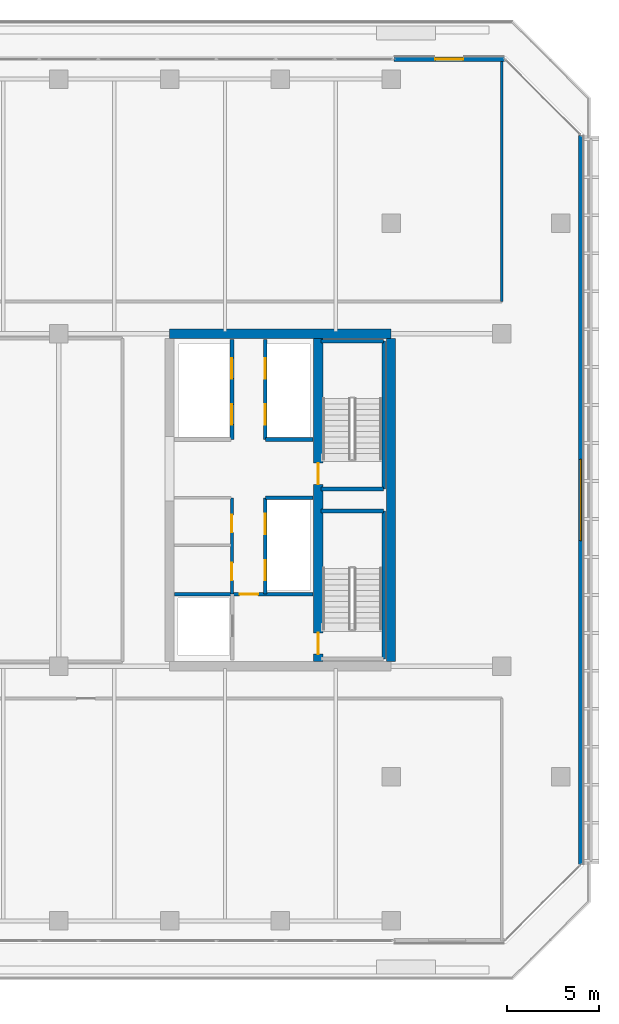
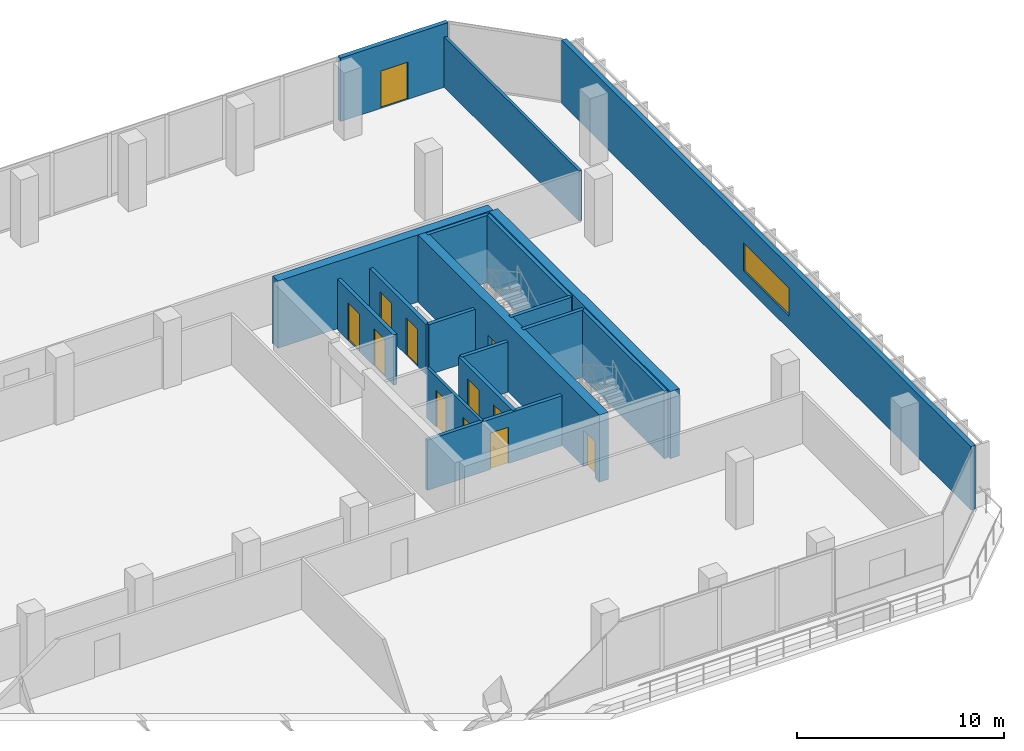
# One storey, part 31 of 38: 18 walls, 12 doors, 1 window, 13 openings.
"""IFC4 building model written with IfcOpenShell, lengths in metres."""

from ifc_helpers import new_model, si_unit, direction, frame, frame_2d, origin, place, context, subcontext, project, spatial, rectangle, extrude, material, layer, layer_set, type_object, element, fill, save


model = new_model("IFC4")

# Units and contexts
model_context = context("Model", 3, precision=1e-05, world=origin(), true_north=direction((0.0, 1.0)))
body_context = subcontext(model_context, "Body", "Model", "MODEL_VIEW")
ifc_project = project(units=[si_unit("LENGTHUNIT", "METRE"), si_unit("AREAUNIT", "SQUARE_METRE"), si_unit("VOLUMEUNIT", "CUBIC_METRE"), si_unit("PLANEANGLEUNIT", "RADIAN"), si_unit("MASSUNIT", "GRAM", prefix="KILO")], contexts=[model_context])

# Site, building, storey
site_placement = place(None, origin())
site = spatial("IfcSite", under=ifc_project, at=site_placement, CompositionType="ELEMENT")
building_placement = place(site_placement, origin())
building = spatial("IfcBuilding", under=site, at=building_placement, Name="Tanjung Sevakor Pilgrim Tower", CompositionType="ELEMENT")
storey_placement = place(building_placement, frame((0.0, 0.0, 78.2099609375)))
storey = spatial("IfcBuildingStorey", under=building, at=storey_placement, Name="L21", CompositionType="ELEMENT", Elevation=78.2099609375)

# Walls
ifc_material_1 = material(Name="Concrete C60/75", Category="concrete")
ifc_layer_1 = layer(ifc_material_1, 0.5)
ifc_layer_set_1 = layer_set([ifc_layer_1], Name="WALL-CW-500")
wall_type_1 = type_object("IfcWallType", Name="WALL-CW-500", PredefinedType="SHEAR", material=ifc_layer_set_1)
wall_1_placement = place(storey_placement, frame((90.0, 42.60009765625, 0.0), z_axis=(0.0, 0.0, 1.0), x_axis=(-1.0, 0.0, 0.0)))
element("IfcWall", 1, at=wall_1_placement, inside=storey, type_object=wall_type_1, Name="L21 E Core North Shear Wall", PredefinedType="SHEAR", context=body_context, shape_type="SweptSolid", body=[
    extrude(rectangle(XDim=12.0, YDim=0.5, at=frame_2d((6.0, 0.0))), origin(), (0.0, 0.0, 1.0), 3.9599609375),
])
wall_2_placement = place(storey_placement, frame((90.0, 24.85009765625, 0.0), z_axis=(0.0, 0.0, 1.0), x_axis=(0.0, 1.0, 0.0)))
element("IfcWall", 2, at=wall_2_placement, inside=storey, type_object=wall_type_1, Name="L21 E Core Outer Shear Wall", PredefinedType="SHEAR", context=body_context, shape_type="SweptSolid", body=[
    extrude(rectangle(XDim=17.5, YDim=0.5, at=frame_2d((8.75, 0.0))), origin(), (0.0, 0.0, 1.0), 3.9599609375),
])

# Wall, openings, doors
wall_3_placement = place(storey_placement, frame((86.050048828125, 24.85009765625, 0.0), z_axis=(0.0, 0.0, 1.0), x_axis=(0.0, 1.0, 0.0)))
wall_3 = element("IfcWall", 3, at=wall_3_placement, inside=storey, type_object=wall_type_1, Name="L21 E Core Stair Spine Wall", PredefinedType="SHEAR", context=body_context, shape_type="SweptSolid", body=[
    extrude(rectangle(XDim=17.5, YDim=0.5, at=frame_2d((8.75, 0.0))), origin(), (0.0, 0.0, 1.0), 3.9599609375),
])
opening_1_placement = place(wall_3_placement, frame((0.39990234375, 0.0, 0.0)))
opening_1 = element("IfcOpeningElement", 4, at=opening_1_placement, cuts=wall_3, Name="Opening ID-ST1", PredefinedType="OPENING", context=body_context, shape_type="SweptSolid", body=[
    extrude(rectangle(XDim=1.14990234375, YDim=2.14990234375, at=frame_2d((0.574951171875, 1.074951171875))), frame((0.0, 0.260009765625, 0.0), z_axis=(0.0, -1.0, 0.0), x_axis=(1.0, 0.0, 0.0)), (0.0, 0.0, 1.0), 0.52001953125),
])
opening_2_placement = place(wall_3_placement, frame((9.60009765625, 0.0, 0.0)))
opening_2 = element("IfcOpeningElement", 5, at=opening_2_placement, cuts=wall_3, Name="Opening ID-ST1", PredefinedType="OPENING", context=body_context, shape_type="SweptSolid", body=[
    extrude(rectangle(XDim=1.14990234375, YDim=2.14990234375, at=frame_2d((0.574951171875, 1.074951171875))), frame((0.0, 0.260009765625, 0.0), z_axis=(0.0, -1.0, 0.0), x_axis=(1.0, 0.0, 0.0)), (0.0, 0.0, 1.0), 0.52001953125),
])
ifc_material_2 = material(Name="Fire-Rated Steel S355J2", Category="steel")
door_type_1 = type_object("IfcDoorType", Name="DT-FIRE-1150", OperationType="NOTDEFINED", PredefinedType="DOOR", material=ifc_material_2)
door_1_placement = place(opening_1_placement, origin())
door_1 = element("IfcDoor", 6, at=door_1_placement, inside=storey, type_object=door_type_1, Name="L21 TS-E1 Stair Fire Door", OperationType="SINGLE_SWING_LEFT", OverallHeight=2.14990234375, OverallWidth=1.14990234375, PredefinedType="DOOR", context=body_context, shape_type="SweptSolid", body=[
    extrude(rectangle(XDim=1.14990234375, YDim=2.14990234375, at=frame_2d((0.574951171875, 1.074951171875))), frame((0.0, 0.02490234375, 0.0), z_axis=(0.0, -1.0, 0.0), x_axis=(1.0, 0.0, 0.0)), (0.0, 0.0, 1.0), 0.050048828125),
])
fill(opening_1, door_1)
door_2_placement = place(opening_2_placement, origin())
door_2 = element("IfcDoor", 7, at=door_2_placement, inside=storey, type_object=door_type_1, Name="L21 TS-E2 Stair Fire Door", OperationType="SINGLE_SWING_RIGHT", OverallHeight=2.14990234375, OverallWidth=1.14990234375, PredefinedType="DOOR", context=body_context, shape_type="SweptSolid", body=[
    extrude(rectangle(XDim=1.14990234375, YDim=2.14990234375, at=frame_2d((0.574951171875, 1.074951171875))), frame((0.0, 0.02490234375, 0.0), z_axis=(0.0, -1.0, 0.0), x_axis=(1.0, 0.0, 0.0)), (0.0, 0.0, 1.0), 0.050048828125),
])
fill(opening_2, door_2)

ifc_material_3 = material(Name="Concrete C40/50", Category="concrete")
ifc_layer_2 = layer(ifc_material_3, 0.14990234375)
ifc_layer_set_2 = layer_set([ifc_layer_2], Name="WT-COMP-150")
wall_type_2 = type_object("IfcWallType", Name="WT-COMP-150", PredefinedType="SOLIDWALL", material=ifc_layer_set_2)
wall_4_placement = place(storey_placement, frame((81.3798828125, 28.5, 0.0), z_axis=(0.0, 0.0, 1.0), x_axis=(0.0, 1.0, 0.0)))
wall_4 = element("IfcWall", 8, at=wall_4_placement, inside=storey, type_object=wall_type_2, Name="L21 Partition IW-L21-018", PredefinedType="SOLIDWALL", context=body_context, shape_type="SweptSolid", body=[
    extrude(rectangle(XDim=5.219970703125, YDim=0.14990234375, at=frame_2d((2.60986328125, 0.0))), origin(), (0.0, 0.0, 1.0), 2.9599609375),
])
opening_3_placement = place(wall_4_placement, frame((0.75, 0.0, 0.0)))
opening_3 = element("IfcOpeningElement", 9, at=opening_3_placement, cuts=wall_4, Name="Opening ID-FD2", PredefinedType="OPENING", context=body_context, shape_type="SweptSolid", body=[
    extrude(rectangle(XDim=0.949951171875, YDim=2.14990234375, at=frame_2d((0.47509765625, 1.074951171875))), frame((0.0, 0.0849609375, 0.0), z_axis=(0.0, -1.0, 0.0), x_axis=(1.0, 0.0, 0.0)), (0.0, 0.0, 1.0), 0.169921875),
])
opening_4_placement = place(wall_4_placement, frame((3.35009765625, 0.0, 0.0)))
opening_4 = element("IfcOpeningElement", 10, at=opening_4_placement, cuts=wall_4, Name="Opening ID-FD2", PredefinedType="OPENING", context=body_context, shape_type="SweptSolid", body=[
    extrude(rectangle(XDim=0.949951171875, YDim=2.14990234375, at=frame_2d((0.47509765625, 1.074951171875))), frame((0.0, 0.0849609375, 0.0), z_axis=(0.0, -1.0, 0.0), x_axis=(1.0, 0.0, 0.0)), (0.0, 0.0, 1.0), 0.169921875),
])
ifc_material_4 = material(Name="Fire-Rated Timber", Category="wood")
door_type_2 = type_object("IfcDoorType", Name="DT-FIRE-950", OperationType="NOTDEFINED", PredefinedType="DOOR", material=ifc_material_4)
door_3_placement = place(opening_3_placement, origin())
door_3 = element("IfcDoor", 11, at=door_3_placement, inside=storey, type_object=door_type_2, Name="L21 Accessible WC Door", OperationType="SINGLE_SWING_LEFT", OverallHeight=2.14990234375, OverallWidth=0.949951171875, PredefinedType="DOOR", context=body_context, shape_type="SweptSolid", body=[
    extrude(rectangle(XDim=0.949951171875, YDim=2.14990234375, at=frame_2d((0.47509765625, 1.074951171875))), frame((0.0, 0.02490234375, 0.0), z_axis=(0.0, -1.0, 0.0), x_axis=(1.0, 0.0, 0.0)), (0.0, 0.0, 1.0), 0.050048828125),
])
fill(opening_3, door_3)
door_4_placement = place(opening_4_placement, origin())
door_4 = element("IfcDoor", 12, at=door_4_placement, inside=storey, type_object=door_type_2, Name="L21 Core Service Door", OperationType="SINGLE_SWING_RIGHT", OverallHeight=2.14990234375, OverallWidth=0.949951171875, PredefinedType="DOOR", context=body_context, shape_type="SweptSolid", body=[
    extrude(rectangle(XDim=0.949951171875, YDim=2.14990234375, at=frame_2d((0.47509765625, 1.074951171875))), frame((0.0, 0.02490234375, 0.0), z_axis=(0.0, -1.0, 0.0), x_axis=(1.0, 0.0, 0.0)), (0.0, 0.0, 1.0), 0.050048828125),
])
fill(opening_4, door_4)

# Wall
wall_5_placement = place(storey_placement, frame((96.0, 44.35009765625, 0.0), z_axis=(0.0, 0.0, 1.0), x_axis=(0.0, 1.0, 0.0)))
element("IfcWall", 13, at=wall_5_placement, inside=storey, type_object=wall_type_2, Name="L21 Partition IW-L21-036", PredefinedType="SOLIDWALL", context=body_context, shape_type="SweptSolid", body=[
    extrude(rectangle(XDim=13.14990234375, YDim=0.14990234375, at=frame_2d((6.574951171875, 0.0))), origin(), (0.0, 0.0, 1.0), 2.9599609375),
])

# Wall, opening, window
ifc_material_5 = material(Name="Precast concrete C45/55", Category="concrete")
ifc_layer_3 = layer(ifc_material_5, 0.25)
ifc_layer_set_3 = layer_set([ifc_layer_3], Name="WT-EW-STN3")
wall_type_3 = type_object("IfcWallType", Name="WT-EW-STN3", PredefinedType="SOLIDWALL", material=ifc_layer_set_3)
wall_6_placement = place(storey_placement, frame((100.27490234375, 13.851806640625, 0.0), z_axis=(0.0, 0.0, 1.0), x_axis=(0.0, 1.0, 0.0)))
wall_6 = element("IfcWall", 14, at=wall_6_placement, inside=storey, type_object=wall_type_3, Name="L21 MAIN Exterior Wall 7", PredefinedType="SOLIDWALL", context=body_context, shape_type="SweptSolid", body=[
    extrude(rectangle(XDim=39.496337890625, YDim=0.25, at=frame_2d((19.748046875, 0.0))), origin(), (0.0, 0.0, 1.0), 3.739990234375),
])
opening_5_placement = place(wall_6_placement, frame((17.548095703125, 0.0, 0.780029296875)))
opening_5 = element("IfcOpeningElement", 15, at=opening_5_placement, cuts=wall_6, Name="Opening WN-ENDW-1660", PredefinedType="OPENING", context=body_context, shape_type="SweptSolid", body=[
    extrude(rectangle(XDim=4.39990234375, YDim=1.659912109375, at=frame_2d((2.199951171875, 0.830078125))), frame((0.0, 0.135009765625, 0.0), z_axis=(0.0, -1.0, 0.0), x_axis=(1.0, 0.0, 0.0)), (0.0, 0.0, 1.0), 0.27001953125),
])
ifc_material_6 = material(Name="Thermally Broken Aluminium and Low-E Glass", Category="aluminium")
window_type = type_object("IfcWindowType", Name="WTYP-WN-ENDW-1660", PartitioningType="DOUBLE_PANEL_VERTICAL", PredefinedType="WINDOW", material=ifc_material_6)
window_placement = place(opening_5_placement, origin())
window = element("IfcWindow", 16, at=window_placement, inside=storey, type_object=window_type, Name="L21 Facade Window 01", OverallHeight=1.659912109375, OverallWidth=4.39990234375, PartitioningType="SINGLE_PANEL", PredefinedType="WINDOW", context=body_context, shape_type="SweptSolid", body=[
    extrude(rectangle(XDim=4.39990234375, YDim=1.659912109375, at=frame_2d((2.199951171875, 0.830078125))), frame((0.0, 0.030029296875, 0.0), z_axis=(0.0, -1.0, 0.0), x_axis=(1.0, 0.0, 0.0)), (0.0, 0.0, 1.0), 0.06005859375),
])
fill(opening_5, window)

# Wall, opening, door
wall_7_placement = place(storey_placement, frame((96.148193359375, 57.47509765625, 0.0), z_axis=(0.0, 0.0, 1.0), x_axis=(-1.0, 0.0, 0.0)))
wall_7 = element("IfcWall", 17, at=wall_7_placement, inside=storey, type_object=wall_type_3, Name="L21 Sky Lobby Wall N1", PredefinedType="SOLIDWALL", context=body_context, shape_type="SweptSolid", body=[
    extrude(rectangle(XDim=6.0, YDim=0.25, at=frame_2d((3.0, 0.0))), origin(), (0.0, 0.0, 1.0), 3.739990234375),
])
opening_6_placement = place(wall_7_placement, frame((2.25, 0.0, 0.0)))
opening_6 = element("IfcOpeningElement", 18, at=opening_6_placement, cuts=wall_7, Name="Opening ED-TER-1500", PredefinedType="OPENING", context=body_context, shape_type="SweptSolid", body=[
    extrude(rectangle(XDim=1.5, YDim=2.199951171875, at=frame_2d((0.75, 1.10009765625))), frame((0.0, 0.135009765625, 0.0), z_axis=(0.0, -1.0, 0.0), x_axis=(1.0, 0.0, 0.0)), (0.0, 0.0, 1.0), 0.27001953125),
])
ifc_material_7 = material(Name="Anodised Aluminium and Laminated Glass", Category="aluminium")
door_type_3 = type_object("IfcDoorType", Name="DTYP-ED-TER-1500", OperationType="DOUBLE_DOOR_SINGLE_SWING", PredefinedType="DOOR", material=ifc_material_7)
door_5_placement = place(opening_6_placement, frame((1.5, 0.0, 0.0), z_axis=(0.0, 0.0, 1.0), x_axis=(-1.0, 0.0, 0.0)))
door_5 = element("IfcDoor", 19, at=door_5_placement, inside=storey, type_object=door_type_3, Name="L21 Sky Terrace Door N", OperationType="SINGLE_SWING_LEFT", OverallHeight=2.199951171875, OverallWidth=1.5, PredefinedType="DOOR", context=body_context, shape_type="SweptSolid", body=[
    extrude(rectangle(XDim=1.5, YDim=2.199951171875, at=frame_2d((0.75, 1.10009765625))), frame((0.0, 0.02490234375, 0.0), z_axis=(0.0, -1.0, 0.0), x_axis=(1.0, 0.0, 0.0)), (0.0, 0.0, 1.0), 0.050048828125),
])
fill(opening_6, door_5)

# Walls
ifc_material_8 = material(Name="Concrete C40/50", Category="concrete")
ifc_layer_4 = layer(ifc_material_8, 0.199951171875)
ifc_layer_set_4 = layer_set([ifc_layer_4], Name="WT-FIRE-200")
wall_type_4 = type_object("IfcWallType", Name="WT-FIRE-200", PredefinedType="SOLIDWALL", material=ifc_layer_set_4)
wall_8_placement = place(storey_placement, frame((89.60009765625, 25.0, 0.0), z_axis=(0.0, 0.0, 1.0), x_axis=(0.0, 1.0, 0.0)))
element("IfcWall", 20, at=wall_8_placement, inside=storey, type_object=wall_type_4, Name="L21 TS-E1 Shaft Wall 2", PredefinedType="SOLIDWALL", context=body_context, shape_type="SweptSolid", body=[
    extrude(rectangle(XDim=8.0, YDim=0.199951171875, at=frame_2d((4.0, 0.0))), origin(), (0.0, 0.0, 1.0), 3.9599609375),
])
for number, where, z_axis, x_axis, name in (
    (21, (89.60009765625, 33.0, 0.0), (0.0, 0.0, 1.0), (-1.0, 0.0, 0.0), "L21 TS-E1 Shaft Wall 3"),
    (22, (86.199951171875, 34.199951171875, 0.0), (0.0, 0.0, 1.0), (1.0, 0.0, 0.0), "L21 TS-E2 Shaft Wall 1"),
):
    element("IfcWall", number, at=place(storey_placement, frame(where, z_axis=z_axis, x_axis=x_axis)), inside=storey, type_object=wall_type_4, Name=name, PredefinedType="SOLIDWALL", context=body_context, shape_type="SweptSolid", body=[
        extrude(rectangle(XDim=3.400146484375, YDim=0.199951171875, at=frame_2d((1.7001953125, 0.0))), origin(), (0.0, 0.0, 1.0), 3.9599609375),
    ])
wall_9_placement = place(storey_placement, frame((89.60009765625, 34.199951171875, 0.0), z_axis=(0.0, 0.0, 1.0), x_axis=(0.0, 1.0, 0.0)))
element("IfcWall", 23, at=wall_9_placement, inside=storey, type_object=wall_type_4, Name="L21 TS-E2 Shaft Wall 2", PredefinedType="SOLIDWALL", context=body_context, shape_type="SweptSolid", body=[
    extrude(rectangle(XDim=8.0, YDim=0.199951171875, at=frame_2d((4.0, 0.0))), origin(), (0.0, 0.0, 1.0), 3.9599609375),
])
wall_10_placement = place(storey_placement, frame((89.60009765625, 42.199951171875, 0.0), z_axis=(0.0, 0.0, 1.0), x_axis=(-1.0, 0.0, 0.0)))
element("IfcWall", 24, at=wall_10_placement, inside=storey, type_object=wall_type_4, Name="L21 TS-E2 Shaft Wall 3", PredefinedType="SOLIDWALL", context=body_context, shape_type="SweptSolid", body=[
    extrude(rectangle(XDim=3.400146484375, YDim=0.199951171875, at=frame_2d((1.7001953125, 0.0))), origin(), (0.0, 0.0, 1.0), 3.9599609375),
])

# Wall, opening, door
ifc_material_9 = material(Name="Concrete C40/50", Category="concrete")
ifc_layer_5 = layer(ifc_material_9, 0.199951171875)
ifc_layer_set_5 = layer_set([ifc_layer_5], Name="WT-FPRT-200")
wall_type_5 = type_object("IfcWallType", Name="WT-FPRT-200", PredefinedType="SOLIDWALL", material=ifc_layer_set_5)
wall_11_placement = place(storey_placement, frame((78.27001953125, 28.5, 0.0), z_axis=(0.0, 0.0, 1.0), x_axis=(1.0, 0.0, 0.0)))
wall_11 = element("IfcWall", 25, at=wall_11_placement, inside=storey, type_object=wall_type_5, Name="L21 Partition IW-L21-013", PredefinedType="SOLIDWALL", context=body_context, shape_type="SweptSolid", body=[
    extrude(rectangle(XDim=7.510009765625, YDim=0.199951171875, at=frame_2d((3.7548828125, 0.0))), origin(), (0.0, 0.0, 1.0), 2.9599609375),
])
opening_7_placement = place(wall_11_placement, frame((3.530029296875, 0.0, 0.0)))
opening_7 = element("IfcOpeningElement", 26, at=opening_7_placement, cuts=wall_11, Name="Opening ID-FD1", PredefinedType="OPENING", context=body_context, shape_type="SweptSolid", body=[
    extrude(rectangle(XDim=1.0, YDim=2.14990234375, at=frame_2d((0.5, 1.074951171875))), frame((0.0, 0.10986328125, 0.0), z_axis=(0.0, -1.0, 0.0), x_axis=(1.0, 0.0, 0.0)), (0.0, 0.0, 1.0), 0.219970703125),
])
ifc_material_10 = material(Name="Fire-Rated Steel S355J2", Category="steel")
door_type_4 = type_object("IfcDoorType", Name="DT-FIRE-1000", OperationType="NOTDEFINED", PredefinedType="DOOR", material=ifc_material_10)
door_6_placement = place(opening_7_placement, origin())
door_6 = element("IfcDoor", 27, at=door_6_placement, inside=storey, type_object=door_type_4, Name="Fire Lobby Door E", OperationType="SINGLE_SWING_RIGHT", OverallHeight=2.14990234375, OverallWidth=1.0, PredefinedType="DOOR", context=body_context, shape_type="SweptSolid", body=[
    extrude(rectangle(XDim=1.0, YDim=2.14990234375, at=frame_2d((0.5, 1.074951171875))), frame((0.0, 0.02490234375, 0.0), z_axis=(0.0, -1.0, 0.0), x_axis=(1.0, 0.0, 0.0)), (0.0, 0.0, 1.0), 0.050048828125),
])
fill(opening_7, door_6)

# Wall
wall_12_placement = place(storey_placement, frame((83.199951171875, 33.719970703125, 0.0), z_axis=(0.0, 0.0, 1.0), x_axis=(1.0, 0.0, 0.0)))
element("IfcWall", 28, at=wall_12_placement, inside=storey, type_object=wall_type_5, Name="L21 Partition IW-L21-014", PredefinedType="SOLIDWALL", context=body_context, shape_type="SweptSolid", body=[
    extrude(rectangle(XDim=2.580078125, YDim=0.199951171875, at=frame_2d((1.2900390625, 0.0))), origin(), (0.0, 0.0, 1.0), 2.9599609375),
])

# Wall, openings, doors
wall_13_placement = place(storey_placement, frame((83.179931640625, 28.5, 0.0), z_axis=(0.0, 0.0, 1.0), x_axis=(0.0, 1.0, 0.0)))
wall_13 = element("IfcWall", 29, at=wall_13_placement, inside=storey, type_object=wall_type_5, Name="L21 Partition IW-L21-015", PredefinedType="SOLIDWALL", context=body_context, shape_type="SweptSolid", body=[
    extrude(rectangle(XDim=5.219970703125, YDim=0.199951171875, at=frame_2d((2.60986328125, 0.0))), origin(), (0.0, 0.0, 1.0), 2.9599609375),
])
opening_8_placement = place(wall_13_placement, frame((0.75, 0.0, 0.0)))
opening_8 = element("IfcOpeningElement", 30, at=opening_8_placement, cuts=wall_13, Name="Opening LD-1100", PredefinedType="OPENING", context=body_context, shape_type="SweptSolid", body=[
    extrude(rectangle(XDim=1.10009765625, YDim=2.199951171875, at=frame_2d((0.550048828125, 1.10009765625))), frame((0.0, 0.10986328125, 0.0), z_axis=(0.0, -1.0, 0.0), x_axis=(1.0, 0.0, 0.0)), (0.0, 0.0, 1.0), 0.219970703125),
])
opening_9_placement = place(wall_13_placement, frame((3.25, 0.0, 0.0)))
opening_9 = element("IfcOpeningElement", 31, at=opening_9_placement, cuts=wall_13, Name="Opening LD-1100", PredefinedType="OPENING", context=body_context, shape_type="SweptSolid", body=[
    extrude(rectangle(XDim=1.10009765625, YDim=2.199951171875, at=frame_2d((0.550048828125, 1.10009765625))), frame((0.0, 0.10986328125, 0.0), z_axis=(0.0, -1.0, 0.0), x_axis=(1.0, 0.0, 0.0)), (0.0, 0.0, 1.0), 0.219970703125),
])
ifc_material_11 = material(Name="Brushed Stainless Steel S355J2", Category="steel")
door_type_5 = type_object("IfcDoorType", Name="DT-LIFT-1100", OperationType="SLIDING_TO_LEFT", PredefinedType="DOOR", material=ifc_material_11)
door_7_placement = place(opening_8_placement, origin())
door_7 = element("IfcDoor", 32, at=door_7_placement, inside=storey, type_object=door_type_5, Name="LD-PLL1-E", OperationType="SLIDING_TO_LEFT", OverallHeight=2.199951171875, OverallWidth=1.10009765625, PredefinedType="DOOR", context=body_context, shape_type="SweptSolid", body=[
    extrude(rectangle(XDim=1.10009765625, YDim=2.199951171875, at=frame_2d((0.550048828125, 1.10009765625))), frame((0.0, 0.02490234375, 0.0), z_axis=(0.0, -1.0, 0.0), x_axis=(1.0, 0.0, 0.0)), (0.0, 0.0, 1.0), 0.050048828125),
])
fill(opening_8, door_7)
door_8_placement = place(opening_9_placement, origin())
door_8 = element("IfcDoor", 33, at=door_8_placement, inside=storey, type_object=door_type_5, Name="LD-PLL2-E", OperationType="SLIDING_TO_RIGHT", OverallHeight=2.199951171875, OverallWidth=1.10009765625, PredefinedType="DOOR", context=body_context, shape_type="SweptSolid", body=[
    extrude(rectangle(XDim=1.10009765625, YDim=2.199951171875, at=frame_2d((0.550048828125, 1.10009765625))), frame((0.0, 0.02490234375, 0.0), z_axis=(0.0, -1.0, 0.0), x_axis=(1.0, 0.0, 0.0)), (0.0, 0.0, 1.0), 0.050048828125),
])
fill(opening_9, door_8)

# Wall
wall_14_placement = place(storey_placement, frame((83.199951171875, 36.8798828125, 0.0), z_axis=(0.0, 0.0, 1.0), x_axis=(1.0, 0.0, 0.0)))
element("IfcWall", 34, at=wall_14_placement, inside=storey, type_object=wall_type_5, Name="L21 Partition IW-L21-019", PredefinedType="SOLIDWALL", context=body_context, shape_type="SweptSolid", body=[
    extrude(rectangle(XDim=2.580078125, YDim=0.199951171875, at=frame_2d((1.2900390625, 0.0))), origin(), (0.0, 0.0, 1.0), 2.9599609375),
])

# Wall, openings, doors
wall_15_placement = place(storey_placement, frame((83.179931640625, 36.8798828125, 0.0), z_axis=(0.0, 0.0, 1.0), x_axis=(0.0, 1.0, 0.0)))
wall_15 = element("IfcWall", 35, at=wall_15_placement, inside=storey, type_object=wall_type_5, Name="L21 Partition IW-L21-020", PredefinedType="SOLIDWALL", context=body_context, shape_type="SweptSolid", body=[
    extrude(rectangle(XDim=5.420166015625, YDim=0.199951171875, at=frame_2d((2.7099609375, 0.0))), origin(), (0.0, 0.0, 1.0), 2.9599609375),
])
opening_10_placement = place(wall_15_placement, frame((0.800048828125, 0.0, 0.0)))
opening_10 = element("IfcOpeningElement", 36, at=opening_10_placement, cuts=wall_15, Name="Opening LD-1100", PredefinedType="OPENING", context=body_context, shape_type="SweptSolid", body=[
    extrude(rectangle(XDim=1.10009765625, YDim=2.199951171875, at=frame_2d((0.550048828125, 1.10009765625))), frame((0.0, 0.10986328125, 0.0), z_axis=(0.0, -1.0, 0.0), x_axis=(1.0, 0.0, 0.0)), (0.0, 0.0, 1.0), 0.219970703125),
])
opening_11_placement = place(wall_15_placement, frame((3.300048828125, 0.0, 0.0)))
opening_11 = element("IfcOpeningElement", 37, at=opening_11_placement, cuts=wall_15, Name="Opening LD-1100", PredefinedType="OPENING", context=body_context, shape_type="SweptSolid", body=[
    extrude(rectangle(XDim=1.10009765625, YDim=2.199951171875, at=frame_2d((0.550048828125, 1.10009765625))), frame((0.0, 0.10986328125, 0.0), z_axis=(0.0, -1.0, 0.0), x_axis=(1.0, 0.0, 0.0)), (0.0, 0.0, 1.0), 0.219970703125),
])
door_9_placement = place(opening_10_placement, origin())
door_9 = element("IfcDoor", 38, at=door_9_placement, inside=storey, type_object=door_type_5, Name="LD-PLM1-E", OperationType="SLIDING_TO_LEFT", OverallHeight=2.199951171875, OverallWidth=1.10009765625, PredefinedType="DOOR", context=body_context, shape_type="SweptSolid", body=[
    extrude(rectangle(XDim=1.10009765625, YDim=2.199951171875, at=frame_2d((0.550048828125, 1.10009765625))), frame((0.0, 0.02490234375, 0.0), z_axis=(0.0, -1.0, 0.0), x_axis=(1.0, 0.0, 0.0)), (0.0, 0.0, 1.0), 0.050048828125),
])
fill(opening_10, door_9)
door_10_placement = place(opening_11_placement, origin())
door_10 = element("IfcDoor", 39, at=door_10_placement, inside=storey, type_object=door_type_5, Name="LD-PLM2-E", OperationType="SLIDING_TO_RIGHT", OverallHeight=2.199951171875, OverallWidth=1.10009765625, PredefinedType="DOOR", context=body_context, shape_type="SweptSolid", body=[
    extrude(rectangle(XDim=1.10009765625, YDim=2.199951171875, at=frame_2d((0.550048828125, 1.10009765625))), frame((0.0, 0.02490234375, 0.0), z_axis=(0.0, -1.0, 0.0), x_axis=(1.0, 0.0, 0.0)), (0.0, 0.0, 1.0), 0.050048828125),
])
fill(opening_11, door_10)

wall_16_placement = place(storey_placement, frame((81.3798828125, 36.8798828125, 0.0), z_axis=(0.0, 0.0, 1.0), x_axis=(0.0, 1.0, 0.0)))
wall_16 = element("IfcWall", 40, at=wall_16_placement, inside=storey, type_object=wall_type_5, Name="L21 Partition IW-L21-022", PredefinedType="SOLIDWALL", context=body_context, shape_type="SweptSolid", body=[
    extrude(rectangle(XDim=5.420166015625, YDim=0.199951171875, at=frame_2d((2.7099609375, 0.0))), origin(), (0.0, 0.0, 1.0), 2.9599609375),
])
opening_12_placement = place(wall_16_placement, frame((0.800048828125, 0.0, 0.0)))
opening_12 = element("IfcOpeningElement", 41, at=opening_12_placement, cuts=wall_16, Name="Opening LD-1100", PredefinedType="OPENING", context=body_context, shape_type="SweptSolid", body=[
    extrude(rectangle(XDim=1.10009765625, YDim=2.199951171875, at=frame_2d((0.550048828125, 1.10009765625))), frame((0.0, 0.10986328125, 0.0), z_axis=(0.0, -1.0, 0.0), x_axis=(1.0, 0.0, 0.0)), (0.0, 0.0, 1.0), 0.219970703125),
])
opening_13_placement = place(wall_16_placement, frame((3.300048828125, 0.0, 0.0)))
opening_13 = element("IfcOpeningElement", 42, at=opening_13_placement, cuts=wall_16, Name="Opening LD-1100", PredefinedType="OPENING", context=body_context, shape_type="SweptSolid", body=[
    extrude(rectangle(XDim=1.10009765625, YDim=2.199951171875, at=frame_2d((0.550048828125, 1.10009765625))), frame((0.0, 0.10986328125, 0.0), z_axis=(0.0, -1.0, 0.0), x_axis=(1.0, 0.0, 0.0)), (0.0, 0.0, 1.0), 0.219970703125),
])
door_11_placement = place(opening_12_placement, origin())
door_11 = element("IfcDoor", 43, at=door_11_placement, inside=storey, type_object=door_type_5, Name="LD-PLH1-E", OperationType="SLIDING_TO_LEFT", OverallHeight=2.199951171875, OverallWidth=1.10009765625, PredefinedType="DOOR", context=body_context, shape_type="SweptSolid", body=[
    extrude(rectangle(XDim=1.10009765625, YDim=2.199951171875, at=frame_2d((0.550048828125, 1.10009765625))), frame((0.0, 0.02490234375, 0.0), z_axis=(0.0, -1.0, 0.0), x_axis=(1.0, 0.0, 0.0)), (0.0, 0.0, 1.0), 0.050048828125),
])
fill(opening_12, door_11)
door_12_placement = place(opening_13_placement, origin())
door_12 = element("IfcDoor", 44, at=door_12_placement, inside=storey, type_object=door_type_5, Name="LD-PLH2-E", OperationType="SLIDING_TO_RIGHT", OverallHeight=2.199951171875, OverallWidth=1.10009765625, PredefinedType="DOOR", context=body_context, shape_type="SweptSolid", body=[
    extrude(rectangle(XDim=1.10009765625, YDim=2.199951171875, at=frame_2d((0.550048828125, 1.10009765625))), frame((0.0, 0.02490234375, 0.0), z_axis=(0.0, -1.0, 0.0), x_axis=(1.0, 0.0, 0.0)), (0.0, 0.0, 1.0), 0.050048828125),
])
fill(opening_13, door_12)

save(model, "model.ifc")
